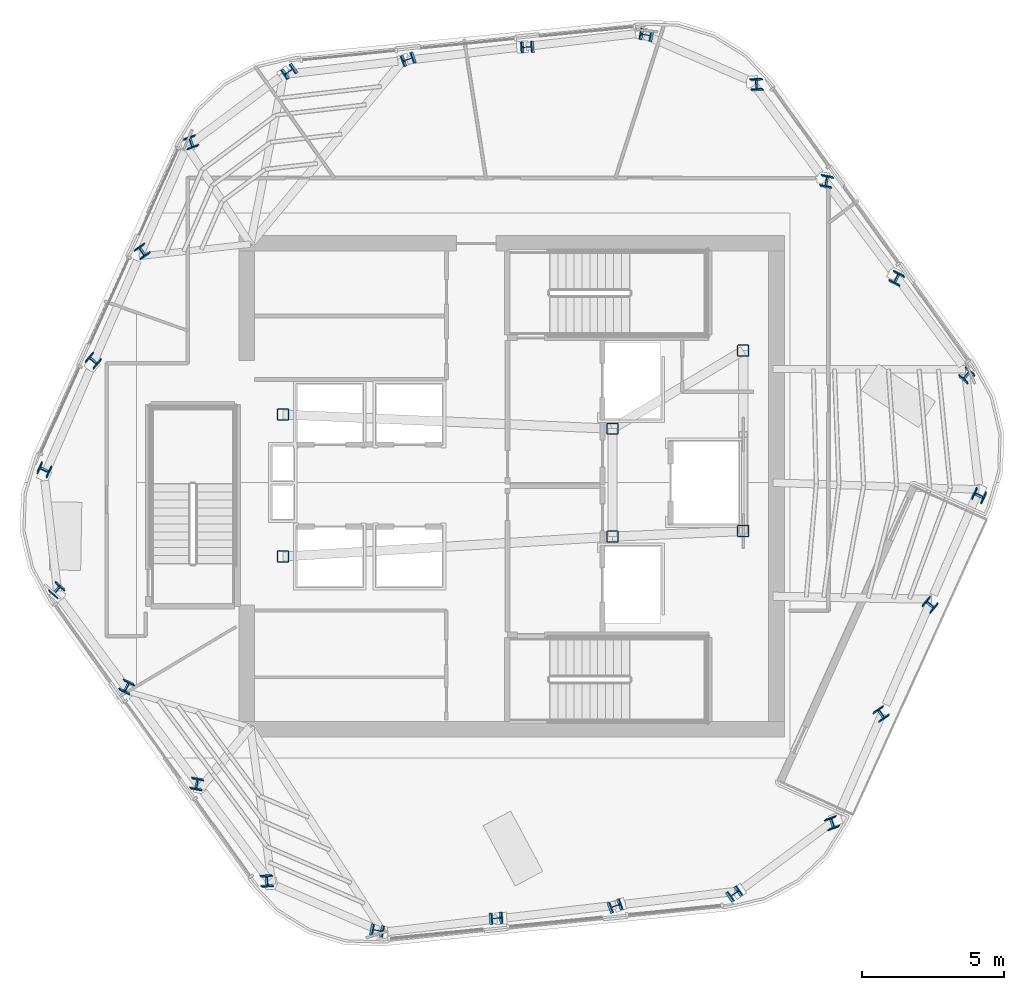
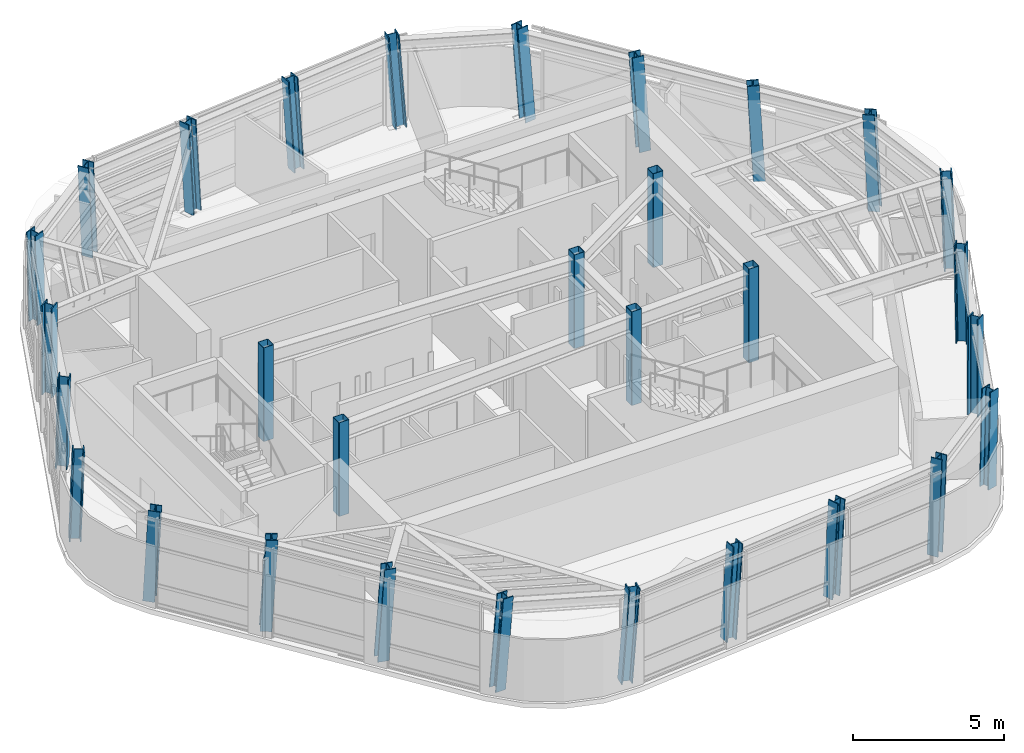
# One storey, part 1 of 12: 30 columns.
"""IFC4 building model written with IfcOpenShell, lengths in metres."""

from ifc_helpers import new_model, si_unit, direction, frame, origin, origin_2d, place, context, subcontext, project, spatial, hollow_rectangle, i_section, extrude, material, material_profile, profile_set, type_object, element, save


model = new_model("IFC4")

# Units and contexts
model_context = context("Model", 3, precision=1e-05, world=origin(), true_north=direction((0.0, 1.0)))
body_context = subcontext(model_context, "Body", "Model", "MODEL_VIEW")
ifc_project = project(units=[si_unit("LENGTHUNIT", "METRE"), si_unit("AREAUNIT", "SQUARE_METRE"), si_unit("VOLUMEUNIT", "CUBIC_METRE"), si_unit("PLANEANGLEUNIT", "RADIAN"), si_unit("MASSUNIT", "GRAM", prefix="KILO")], contexts=[model_context])

# Site, building, storey
site_placement = place(None, origin())
site = spatial("IfcSite", under=ifc_project, at=site_placement, CompositionType="ELEMENT")
building_placement = place(site_placement, origin())
building = spatial("IfcBuilding", under=site, at=building_placement, Name="Valkerne Bourse Tower", CompositionType="ELEMENT")
storey_placement = place(building_placement, frame((0.0, 0.0, 307.800048828125)))
storey = spatial("IfcBuildingStorey", under=building, at=storey_placement, Name="L78", CompositionType="ELEMENT", Elevation=307.800048828125)

# Columns
ifc_material_1 = material(Name="Steel ASTM A500 Grade C", Category="steel")
ifc_material_profile_1 = material_profile(ifc_material_1, hollow_rectangle(XDim=0.39990234375, YDim=0.39990234375, WallThickness=0.01611328125, OuterFilletRadius=0.031982421875, at=origin_2d()), Name="HSS400X400X16")
ifc_profile_set_1 = profile_set([ifc_material_profile_1], Name="Steel ASTM A500 Grade C")
column_type_1 = type_object("IfcColumnType", Name="COL-HSS400X400X16", PredefinedType="COLUMN", material=ifc_profile_set_1)
for number, where, z_axis, x_axis, name in (
    (1, (38.75, 24.39990234375, 0.0048828125), (0.0, 0.0, 1.0), (1.0, 0.0, 0.0), "L78 Core Frame Column CC-SW"),
    (2, (38.75, 29.39990234375, 0.0048828125), (0.0, 0.0, 1.0), (1.0, 0.0, 0.0), "L78 Core Frame Column CC-NW"),
    (3, (50.35009765625, 25.10009765625, 0.0048828125), (0.0, 0.0, 1.0), (1.0, 0.0, 0.0), "L78 Core Frame Column CC-CE1"),
    (4, (50.35009765625, 28.89990234375, 0.0048828125), (0.0, 0.0, 1.0), (1.0, 0.0, 0.0), "L78 Core Frame Column CC-CE2"),
    (5, (54.949951171875, 25.300048828125, 0.0048828125), (0.0, 0.0, 1.0), (1.0, 0.0, 0.0), "L78 Core Frame Column CC-SE"),
    (6, (54.949951171875, 31.64990234375, 0.0048828125), (0.0, 0.0, 1.0), (1.0, 0.0, 0.0), "L78 Core Frame Column CC-NE"),
):
    element("IfcColumn", number, at=place(storey_placement, frame(where, z_axis=z_axis, x_axis=x_axis)), inside=storey, type_object=column_type_1, Name=name, PredefinedType="COLUMN", context=body_context, shape_type="SweptSolid", body=[
        extrude(hollow_rectangle(XDim=0.39990234375, YDim=0.39990234375, WallThickness=0.01611328125, OuterFilletRadius=0.031982421875, at=origin_2d()), origin(), (0.0, 0.0, 1.0), 3.795166015625),
    ])
ifc_material_2 = material(Name="Steel ASTM A913 Grade 65", Category="steel")
ifc_material_profile_2 = material_profile(ifc_material_2, i_section(OverallWidth=0.4013671875, OverallDepth=0.398681640625, WebThickness=0.02490234375, FlangeThickness=0.03955078125, FilletRadius=0.025390625, at=origin_2d()), Name="W14X211")
ifc_profile_set_2 = profile_set([ifc_material_profile_2], Name="Steel ASTM A913 Grade 65")
column_type_2 = type_object("IfcColumnType", Name="COL-W14X211", PredefinedType="COLUMN", material=ifc_profile_set_2)
column_1_placement = place(storey_placement, frame((51.5771484375, 42.751220703125, 0.010009765625), z_axis=(-0.065450546482, 0.019261528935, 0.99766989504), x_axis=(0.185866320634, 0.982551675067, -0.006776184483)))
element("IfcColumn", 7, at=column_1_placement, inside=storey, type_object=column_type_2, Name="L78 Helical Perimeter Tube Column F1-C1", PredefinedType="COLUMN", context=body_context, shape_type="SweptSolid", body=[
    extrude(i_section(OverallWidth=0.4013671875, OverallDepth=0.398681640625, WebThickness=0.02490234375, FlangeThickness=0.03955078125, FilletRadius=0.025390625, at=origin_2d()), origin(), (0.0, 0.0, 1.0), 3.789794921875),
])
for number, where, z_axis, x_axis, name in (
    (8, (47.385986328125, 42.332763671875, 0.010009765625), (-0.06360171972, 0.00193318297, 0.997973488652), (-0.068841834077, 0.997607568988, -0.006319824195), "L78 Helical Perimeter Tube Column F1-C2"),
    (9, (43.19482421875, 41.914306640625, 0.010009765625), (-0.061668805502, -0.015401091447, 0.997977837835), (-0.337264431025, 0.941388787387, -0.0063130458), "L78 Helical Perimeter Tube Column F1-C3"),
):
    element("IfcColumn", number, at=place(storey_placement, frame(where, z_axis=z_axis, x_axis=x_axis)), inside=storey, type_object=column_type_2, Name=name, PredefinedType="COLUMN", context=body_context, shape_type="SweptSolid", body=[
        extrude(i_section(OverallWidth=0.4013671875, OverallDepth=0.398681640625, WebThickness=0.02490234375, FlangeThickness=0.03955078125, FilletRadius=0.025390625, at=origin_2d()), origin(), (0.0, 0.0, 1.0), 3.78857421875),
    ])
for number, where, z_axis, x_axis, name in (
    (10, (39.003662109375, 41.49609375, 0.010009765625), (-0.059781774181, -0.032789787778, 0.997672776662), (-0.565403415299, 0.824786710617, -0.006771998043), "L78 Helical Perimeter Tube Column F1-C4"),
    (11, (35.5478515625, 39.0126953125, 0.010009765625), (-0.049410056988, -0.047026520993, 0.997670863858), (-0.942354625085, -0.328789971375, -0.062168442987), "L78 Helical Perimeter Tube Column F2-C1"),
):
    element("IfcColumn", number, at=place(storey_placement, frame(where, z_axis=z_axis, x_axis=x_axis)), inside=storey, type_object=column_type_2, Name=name, PredefinedType="COLUMN", context=body_context, shape_type="SweptSolid", body=[
        extrude(i_section(OverallWidth=0.4013671875, OverallDepth=0.398681640625, WebThickness=0.02490234375, FlangeThickness=0.03955078125, FilletRadius=0.025390625, at=origin_2d()), origin(), (0.0, 0.0, 1.0), 3.789794921875),
    ])
for number, where, z_axis, x_axis, name in (
    (12, (33.814453125, 35.173828125, 0.010009765625), (-0.03344418947, -0.054064884326, 0.997977191359), (-0.8284644074, -0.557036451694, -0.057940634753), "L78 Helical Perimeter Tube Column F2-C2"),
    (13, (32.081298828125, 31.335205078125, 0.010009765625), (-0.01752754321, -0.061153082743, 0.997974491508), (-0.646191010203, -0.760970160361, -0.057979249497), "L78 Helical Perimeter Tube Column F2-C3"),
):
    element("IfcColumn", number, at=place(storey_placement, frame(where, z_axis=z_axis, x_axis=x_axis)), inside=storey, type_object=column_type_2, Name=name, PredefinedType="COLUMN", context=body_context, shape_type="SweptSolid", body=[
        extrude(i_section(OverallWidth=0.4013671875, OverallDepth=0.398681640625, WebThickness=0.02490234375, FlangeThickness=0.03955078125, FilletRadius=0.025390625, at=origin_2d()), origin(), (0.0, 0.0, 1.0), 3.78857421875),
    ])
for number, where, z_axis, x_axis, name in (
    (14, (30.347900390625, 27.496337890625, 0.010009765625), (-0.001546074618, -0.068220542516, 0.997669066992), (-0.43201031745, -0.899721730377, -0.062192391043), "L78 Helical Perimeter Tube Column F2-C4"),
    (15, (30.7705078125, 23.26171875, 0.010009765625), (0.01604049607, -0.066352252819, 0.997667319817), (0.757579606753, -0.650384515252, -0.055435744353), "L78 Helical Perimeter Tube Column F3-C1"),
):
    element("IfcColumn", number, at=place(storey_placement, frame(where, z_axis=z_axis, x_axis=x_axis)), inside=storey, type_object=column_type_2, Name=name, PredefinedType="COLUMN", context=body_context, shape_type="SweptSolid", body=[
        extrude(i_section(OverallWidth=0.4013671875, OverallDepth=0.398681640625, WebThickness=0.02490234375, FlangeThickness=0.03955078125, FilletRadius=0.025390625, at=origin_2d()), origin(), (0.0, 0.0, 1.0), 3.789794921875),
    ])
for number, where, z_axis, x_axis, name in (
    (16, (33.228515625, 19.84130859375, 0.010009765625), (0.030093219901, -0.056062315448, 0.997973654413), (0.897449504819, -0.438080388512, -0.051671650853), "L78 Helical Perimeter Tube Column F3-C2"),
    (17, (35.686279296875, 16.420654296875, 0.010009765625), (0.044205484819, -0.045752032393, 0.997974261514), (0.982788958435, -0.177360375491, -0.051663917614), "L78 Helical Perimeter Tube Column F3-C3"),
):
    element("IfcColumn", number, at=place(storey_placement, frame(where, z_axis=z_axis, x_axis=x_axis)), inside=storey, type_object=column_type_2, Name=name, PredefinedType="COLUMN", context=body_context, shape_type="SweptSolid", body=[
        extrude(i_section(OverallWidth=0.4013671875, OverallDepth=0.398681640625, WebThickness=0.02490234375, FlangeThickness=0.03955078125, FilletRadius=0.025390625, at=origin_2d()), origin(), (0.0, 0.0, 1.0), 3.78857421875),
    ])
for number, where, z_axis, x_axis, name in (
    (18, (38.144287109375, 13.000244140625, 0.010009765625), (0.058235760154, -0.035431048766, 0.997673913171), (0.995461206028, 0.077411508503, -0.055357435305), "L78 Helical Perimeter Tube Column F3-C4"),
    (19, (42.022705078125, 11.248779296875, 0.010009765625), (0.065450546482, -0.019261528935, 0.99766989504), (0.185866320634, 0.982551675067, 0.006776184483), "L78 Helical Perimeter Tube Column F4-C1"),
):
    element("IfcColumn", number, at=place(storey_placement, frame(where, z_axis=z_axis, x_axis=x_axis)), inside=storey, type_object=column_type_2, Name=name, PredefinedType="COLUMN", context=body_context, shape_type="SweptSolid", body=[
        extrude(i_section(OverallWidth=0.4013671875, OverallDepth=0.398681640625, WebThickness=0.02490234375, FlangeThickness=0.03955078125, FilletRadius=0.025390625, at=origin_2d()), origin(), (0.0, 0.0, 1.0), 3.789794921875),
    ])
for number, where, z_axis, x_axis, name in (
    (20, (46.2138671875, 11.667236328125, 0.010009765625), (0.06360171972, -0.00193318297, 0.997973488652), (-0.068841834077, 0.997607568988, 0.006319824195), "L78 Helical Perimeter Tube Column F4-C2"),
    (21, (50.405029296875, 12.085693359375, 0.010009765625), (0.061732999765, 0.015401030213, 0.997973869903), (-0.337033023323, 0.941471618541, 0.006319230291), "L78 Helical Perimeter Tube Column F4-C3"),
):
    element("IfcColumn", number, at=place(storey_placement, frame(where, z_axis=z_axis, x_axis=x_axis)), inside=storey, type_object=column_type_2, Name=name, PredefinedType="COLUMN", context=body_context, shape_type="SweptSolid", body=[
        extrude(i_section(OverallWidth=0.4013671875, OverallDepth=0.398681640625, WebThickness=0.02490234375, FlangeThickness=0.03955078125, FilletRadius=0.025390625, at=origin_2d()), origin(), (0.0, 0.0, 1.0), 3.78857421875),
    ])
for number, where, z_axis, x_axis, name in (
    (22, (54.59619140625, 12.50390625, 0.010009765625), (0.059845963597, 0.032789661433, 0.997668932434), (-0.565028584971, 0.825043491304, 0.006777582383), "L78 Helical Perimeter Tube Column F4-C4"),
    (23, (58.05224609375, 14.9873046875, 0.010009765625), (0.049410056988, 0.047026520993, 0.997670863858), (-0.942354625085, -0.328789971375, 0.062168442987), "L78 Helical Perimeter Tube Column F5-C1"),
):
    element("IfcColumn", number, at=place(storey_placement, frame(where, z_axis=z_axis, x_axis=x_axis)), inside=storey, type_object=column_type_2, Name=name, PredefinedType="COLUMN", context=body_context, shape_type="SweptSolid", body=[
        extrude(i_section(OverallWidth=0.4013671875, OverallDepth=0.398681640625, WebThickness=0.02490234375, FlangeThickness=0.03955078125, FilletRadius=0.025390625, at=origin_2d()), origin(), (0.0, 0.0, 1.0), 3.789794921875),
    ])
for number, where, z_axis, x_axis, name in (
    (24, (59.785400390625, 18.826171875, 0.010009765625), (0.033508556856, 0.054064767697, 0.997975038521), (-0.828942993278, -0.556320795443, 0.0579714279), "L78 Helical Perimeter Tube Column F5-C2"),
    (25, (61.518798828125, 22.664794921875, 0.010009765625), (0.01752754321, 0.061153082743, 0.997974491508), (-0.646191010203, -0.760970160361, 0.057979249497), "L78 Helical Perimeter Tube Column F5-C3"),
):
    element("IfcColumn", number, at=place(storey_placement, frame(where, z_axis=z_axis, x_axis=x_axis)), inside=storey, type_object=column_type_2, Name=name, PredefinedType="COLUMN", context=body_context, shape_type="SweptSolid", body=[
        extrude(i_section(OverallWidth=0.4013671875, OverallDepth=0.398681640625, WebThickness=0.02490234375, FlangeThickness=0.03955078125, FilletRadius=0.025390625, at=origin_2d()), origin(), (0.0, 0.0, 1.0), 3.78857421875),
    ])
for number, where, z_axis, x_axis, name in (
    (26, (63.252197265625, 26.503662109375, 0.010009765625), (0.001481654987, 0.068220549169, 0.997669164287), (-0.431160949716, -0.900129159175, 0.062191094557), "L78 Helical Perimeter Tube Column F5-C4"),
    (27, (62.82958984375, 30.73828125, 0.010009765625), (-0.01604049607, 0.066352252819, 0.997667319817), (0.757579606753, -0.650384515252, 0.055435744353), "L78 Helical Perimeter Tube Column F6-C1"),
):
    element("IfcColumn", number, at=place(storey_placement, frame(where, z_axis=z_axis, x_axis=x_axis)), inside=storey, type_object=column_type_2, Name=name, PredefinedType="COLUMN", context=body_context, shape_type="SweptSolid", body=[
        extrude(i_section(OverallWidth=0.4013671875, OverallDepth=0.398681640625, WebThickness=0.02490234375, FlangeThickness=0.03955078125, FilletRadius=0.025390625, at=origin_2d()), origin(), (0.0, 0.0, 1.0), 3.789794921875),
    ])
for number, where, z_axis, x_axis, name in (
    (28, (60.37158203125, 34.15869140625, 0.010009765625), (-0.030093219901, 0.056062315448, 0.997973654413), (0.897449504819, -0.438080388512, 0.051671650853), "L78 Helical Perimeter Tube Column F6-C2"),
    (29, (57.913818359375, 37.579345703125, 0.010009765625), (-0.044269798104, 0.045751901971, 0.997971416646), (0.982916195685, -0.17664327674, 0.051700145472), "L78 Helical Perimeter Tube Column F6-C3"),
):
    element("IfcColumn", number, at=place(storey_placement, frame(where, z_axis=z_axis, x_axis=x_axis)), inside=storey, type_object=column_type_2, Name=name, PredefinedType="COLUMN", context=body_context, shape_type="SweptSolid", body=[
        extrude(i_section(OverallWidth=0.4013671875, OverallDepth=0.398681640625, WebThickness=0.02490234375, FlangeThickness=0.03955078125, FilletRadius=0.025390625, at=origin_2d()), origin(), (0.0, 0.0, 1.0), 3.78857421875),
    ])
column_2_placement = place(storey_placement, frame((55.455810546875, 40.999755859375, 0.010009765625), z_axis=(-0.058299961407, 0.035430915772, 0.997670168296), x_axis=(0.995420493734, 0.077901650633, 0.055401926712)))
element("IfcColumn", 30, at=column_2_placement, inside=storey, type_object=column_type_2, Name="L78 Helical Perimeter Tube Column F6-C4", PredefinedType="COLUMN", context=body_context, shape_type="SweptSolid", body=[
    extrude(i_section(OverallWidth=0.4013671875, OverallDepth=0.398681640625, WebThickness=0.02490234375, FlangeThickness=0.03955078125, FilletRadius=0.025390625, at=origin_2d()), origin(), (0.0, 0.0, 1.0), 3.789794921875),
])

save(model, "model.ifc")
